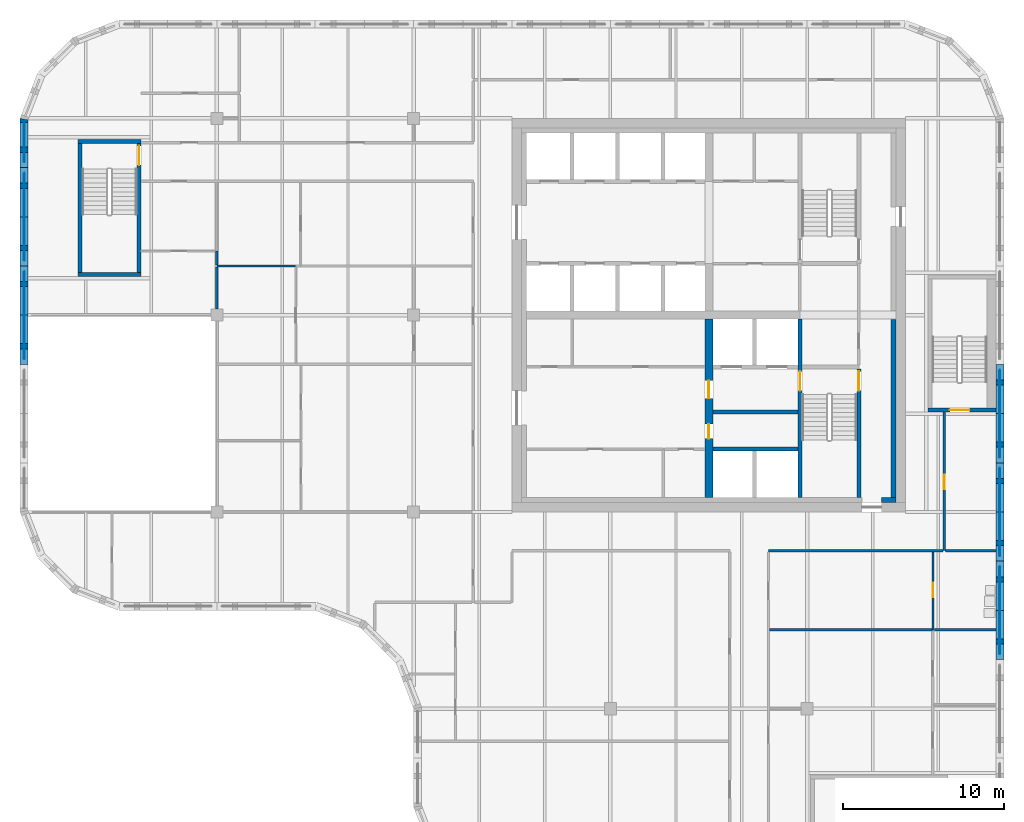
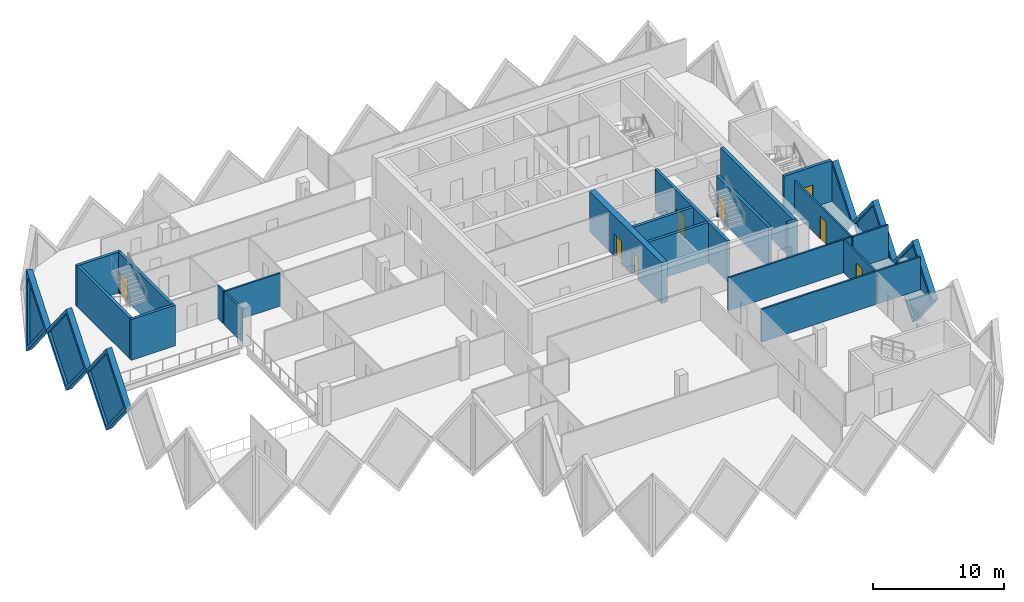
# One storey, part 6 of 12: 27 walls, 8 doors, 6 plates, 14 openings.
"""IFC4 building model written with IfcOpenShell, lengths in metres."""

from ifc_helpers import new_model, si_unit, direction, frame, frame_2d, origin, place, context, subcontext, project, spatial, polyline, rectangle, outline, extrude, faceted_brep, source, transform, mapped, material, layer, layer_set, type_object, element, fill, save


model = new_model("IFC4")

# Units and contexts
model_context = context("Model", 3, precision=1e-05, world=origin(), true_north=direction((0.0, 1.0)))
body_context = subcontext(model_context, "Body", "Model", "MODEL_VIEW")
ifc_project = project(units=[si_unit("LENGTHUNIT", "METRE"), si_unit("AREAUNIT", "SQUARE_METRE"), si_unit("VOLUMEUNIT", "CUBIC_METRE"), si_unit("PLANEANGLEUNIT", "RADIAN"), si_unit("MASSUNIT", "GRAM", prefix="KILO")], contexts=[model_context])

# Site, building, storey
site_placement = place(None, origin())
site = spatial("IfcSite", under=ifc_project, at=site_placement, CompositionType="ELEMENT")
building_placement = place(site_placement, origin())
building = spatial("IfcBuilding", under=site, at=building_placement, Name="Tessera Gate Towers", CompositionType="ELEMENT")
storey_placement = place(building_placement, frame((0.0, 0.0, 182.0)))
storey = spatial("IfcBuildingStorey", under=building, at=storey_placement, Name="L45", CompositionType="ELEMENT", Elevation=182.0)

# Wall, opening, door
ifc_material_1 = material(Name="Concrete C40/50", Category="concrete")
ifc_layer_1 = layer(ifc_material_1, 0.25)
ifc_layer_set_1 = layer_set([ifc_layer_1], Name="CORE ENCLOSURE WALL 250")
wall_type_1 = type_object("IfcWallType", Name="CORE ENCLOSURE WALL 250", PredefinedType="SOLIDWALL", material=ifc_layer_set_1)
wall_1_placement = place(storey_placement, frame((48.35009765625, 36.35009765625, 0.0), z_axis=(0.0, 0.0, 1.0), x_axis=(0.0, -1.0, 0.0)))
wall_1 = element("IfcWall", 1, at=wall_1_placement, inside=storey, type_object=wall_type_1, Name="L45 shaft and stair enclosure wall", PredefinedType="SOLIDWALL", context=body_context, shape_type="SweptSolid", body=[
    extrude(rectangle(XDim=11.050048828125, YDim=0.25, at=frame_2d((5.52490234375, 0.0))), origin(), (0.0, 0.0, 1.0), 3.800048828125),
])
shared_shape_1 = source(origin(), body_context, "Body", "SweptSolid", [
    extrude(rectangle(XDim=1.199951171875, YDim=2.10009765625, at=frame_2d((0.60009765625, 1.050048828125))), frame((0.0, 0.135009765625, 0.0), z_axis=(0.0, -1.0, 0.0), x_axis=(1.0, 0.0, 0.0)), (0.0, 0.0, 1.0), 0.27001953125),
])
opening_1_placement = place(wall_1_placement, frame((3.22509765625, 0.0, 0.0)))
opening_1 = element("IfcOpeningElement", 2, at=opening_1_placement, cuts=wall_1, Name="Opening SD-ST1-1", PredefinedType="OPENING", context=body_context, shape_type="MappedRepresentation", body=[
    mapped(shared_shape_1, transform((0.0, 0.0, 0.0), scale=1.0)),
])
ifc_material_2 = material(Name="Hollow steel fire door", Category="steel")
door_type_1 = type_object("IfcDoorType", Name="CORE DOOR SD 1200x2100", OperationType="NOTDEFINED", PredefinedType="DOOR", material=ifc_material_2)
shared_shape_2 = source(origin(), body_context, "Body", "SweptSolid", [
    extrude(rectangle(XDim=1.199951171875, YDim=2.10009765625, at=frame_2d((0.60009765625, 1.050048828125))), frame((0.0, 0.02490234375, 0.0), z_axis=(0.0, -1.0, 0.0), x_axis=(1.0, 0.0, 0.0)), (0.0, 0.0, 1.0), 0.050048828125),
])
door_1_placement = place(opening_1_placement, origin())
door_1 = element("IfcDoor", 3, at=door_1_placement, inside=storey, type_object=door_type_1, Name="Stair door", OperationType="SINGLE_SWING_LEFT", OverallHeight=2.10009765625, OverallWidth=1.199951171875, PredefinedType="DOOR", context=body_context, shape_type="MappedRepresentation", body=[
    mapped(shared_shape_2, transform((0.0, 0.0, 0.0), scale=1.0)),
])
fill(opening_1, door_1)

wall_2_placement = place(storey_placement, frame((52.0, 25.300048828125, 0.0), z_axis=(0.0, 0.0, 1.0), x_axis=(0.0, 1.0, 0.0)))
wall_2 = element("IfcWall", 4, at=wall_2_placement, inside=storey, type_object=wall_type_1, Name="L45 shaft and stair enclosure wall", PredefinedType="SOLIDWALL", context=body_context, shape_type="SweptSolid", body=[
    extrude(rectangle(XDim=7.974853515625, YDim=0.25, at=frame_2d((3.9873046875, 0.0))), origin(), (0.0, 0.0, 1.0), 3.800048828125),
])
opening_2_placement = place(wall_2_placement, frame((6.625, 0.0, 0.0)))
opening_2 = element("IfcOpeningElement", 5, at=opening_2_placement, cuts=wall_2, Name="Opening SD-ST1-2", PredefinedType="OPENING", context=body_context, shape_type="MappedRepresentation", body=[
    mapped(shared_shape_1, transform((0.0, 0.0, 0.0), scale=1.0)),
])
door_2_placement = place(opening_2_placement, origin())
door_2 = element("IfcDoor", 6, at=door_2_placement, inside=storey, type_object=door_type_1, Name="Stair door", OperationType="SINGLE_SWING_RIGHT", OverallHeight=2.10009765625, OverallWidth=1.199951171875, PredefinedType="DOOR", context=body_context, shape_type="MappedRepresentation", body=[
    mapped(shared_shape_2, transform((0.0, 0.0, 0.0), scale=1.0)),
])
fill(opening_2, door_2)

# Walls
for number, where, z_axis, x_axis, name in (
    (7, (42.949951171875, 28.300048828125, 0.0), (0.0, 0.0, 1.0), (1.0, 0.0, 0.0), "L45 shaft and stair enclosure wall"),
    (8, (42.949951171875, 30.60009765625, 0.0), (0.0, 0.0, 1.0), (1.0, 0.0, 0.0), "L45 shaft and stair enclosure wall"),
):
    element("IfcWall", number, at=place(storey_placement, frame(where, z_axis=z_axis, x_axis=x_axis)), inside=storey, type_object=wall_type_1, Name=name, PredefinedType="SOLIDWALL", context=body_context, shape_type="SweptSolid", body=[
        extrude(rectangle(XDim=5.275146484375, YDim=0.25, at=frame_2d((2.6376953125, 0.0))), origin(), (0.0, 0.0, 1.0), 3.800048828125),
    ])
wall_3_placement = place(storey_placement, frame((7.5, 39.125, 0.0), z_axis=(0.0, 0.0, 1.0), x_axis=(-1.0, 0.0, 0.0)))
element("IfcWall", 9, at=wall_3_placement, inside=storey, type_object=wall_type_1, Name="L45 ST3 enclosure wall", PredefinedType="SOLIDWALL", context=body_context, shape_type="SweptSolid", body=[
    extrude(rectangle(XDim=3.89990234375, YDim=0.25, at=frame_2d((1.949951171875, 0.0))), origin(), (0.0, 0.0, 1.0), 3.800048828125),
])
wall_4_placement = place(storey_placement, frame((3.72509765625, 39.25, 0.0), z_axis=(0.0, 0.0, 1.0), x_axis=(0.0, 1.0, 0.0)))
element("IfcWall", 10, at=wall_4_placement, inside=storey, type_object=wall_type_1, Name="L45 ST3 enclosure wall", PredefinedType="SOLIDWALL", context=body_context, shape_type="SweptSolid", body=[
    extrude(rectangle(XDim=8.0, YDim=0.25, at=frame_2d((4.0, 0.0))), origin(), (0.0, 0.0, 1.0), 3.800048828125),
])
wall_5_placement = place(storey_placement, frame((3.60009765625, 47.375, 0.0), z_axis=(0.0, 0.0, 1.0), x_axis=(1.0, 0.0, 0.0)))
element("IfcWall", 11, at=wall_5_placement, inside=storey, type_object=wall_type_1, Name="L45 ST3 enclosure wall", PredefinedType="SOLIDWALL", context=body_context, shape_type="SweptSolid", body=[
    extrude(rectangle(XDim=3.89990234375, YDim=0.25, at=frame_2d((1.949951171875, 0.0))), origin(), (0.0, 0.0, 1.0), 3.800048828125),
])

# Wall, opening, door
wall_6_placement = place(storey_placement, frame((7.375, 47.25, 0.0), z_axis=(0.0, 0.0, 1.0), x_axis=(0.0, -1.0, 0.0)))
wall_6 = element("IfcWall", 12, at=wall_6_placement, inside=storey, type_object=wall_type_1, Name="L45 ST3 enclosure wall", PredefinedType="SOLIDWALL", context=body_context, shape_type="SweptSolid", body=[
    extrude(rectangle(XDim=8.0, YDim=0.25, at=frame_2d((4.0, 0.0))), origin(), (0.0, 0.0, 1.0), 3.800048828125),
])
opening_3_placement = place(wall_6_placement, frame((0.14990234375, 0.0, 0.0)))
opening_3 = element("IfcOpeningElement", 13, at=opening_3_placement, cuts=wall_6, Name="Opening SD-ST3-1", PredefinedType="OPENING", context=body_context, shape_type="MappedRepresentation", body=[
    mapped(shared_shape_1, transform((0.0, 0.0, 0.0), scale=1.0)),
])
door_3_placement = place(opening_3_placement, origin())
door_3 = element("IfcDoor", 14, at=door_3_placement, inside=storey, type_object=door_type_1, Name="Stair door", OperationType="SINGLE_SWING_LEFT", OverallHeight=2.10009765625, OverallWidth=1.199951171875, PredefinedType="DOOR", context=body_context, shape_type="MappedRepresentation", body=[
    mapped(shared_shape_2, transform((0.0, 0.0, 0.0), scale=1.0)),
])
fill(opening_3, door_3)

wall_7_placement = place(storey_placement, frame((60.5, 30.72509765625, 0.0), z_axis=(0.0, 0.0, 1.0), x_axis=(-1.0, 0.0, 0.0)))
wall_7 = element("IfcWall", 15, at=wall_7_placement, inside=storey, type_object=wall_type_1, Name="L45 ST5 enclosure wall", PredefinedType="SOLIDWALL", context=body_context, shape_type="SweptSolid", body=[
    extrude(rectangle(XDim=4.199951171875, YDim=0.25, at=frame_2d((2.10009765625, 0.0))), origin(), (0.0, 0.0, 1.0), 3.800048828125),
])
opening_4_placement = place(wall_7_placement, frame((1.64990234375, 0.0, 0.0)))
opening_4 = element("IfcOpeningElement", 16, at=opening_4_placement, cuts=wall_7, Name="Opening SD-ST5-1", PredefinedType="OPENING", context=body_context, shape_type="MappedRepresentation", body=[
    mapped(shared_shape_1, transform((0.0, 0.0, 0.0), scale=1.0)),
])
door_4_placement = place(opening_4_placement, origin())
door_4 = element("IfcDoor", 17, at=door_4_placement, inside=storey, type_object=door_type_1, Name="Stair door", OperationType="SINGLE_SWING_RIGHT", OverallHeight=2.10009765625, OverallWidth=1.199951171875, PredefinedType="DOOR", context=body_context, shape_type="MappedRepresentation", body=[
    mapped(shared_shape_2, transform((0.0, 0.0, 0.0), scale=1.0)),
])
fill(opening_4, door_4)

# Wall, openings, doors
ifc_material_3 = material(Name="Concrete C50/60", Category="concrete")
ifc_layer_2 = layer(ifc_material_3, 0.5)
ifc_layer_set_2 = layer_set([ifc_layer_2], Name="CORE SPINE WALL 500 C50/60")
wall_type_2 = type_object("IfcWallType", Name="CORE SPINE WALL 500 C50/60", PredefinedType="SHEAR", material=ifc_layer_set_2)
wall_8_placement = place(storey_placement, frame((42.699951171875, 36.35009765625, 0.0), z_axis=(0.0, 0.0, 1.0), x_axis=(0.0, -1.0, 0.0)))
wall_8 = element("IfcWall", 18, at=wall_8_placement, inside=storey, type_object=wall_type_2, Name="Core wall spine L45", PredefinedType="SHEAR", context=body_context, shape_type="SweptSolid", body=[
    extrude(rectangle(XDim=11.050048828125, YDim=0.5, at=frame_2d((5.52490234375, 0.0))), origin(), (0.0, 0.0, 1.0), 3.800048828125),
])
shared_shape_3 = source(origin(), body_context, "Body", "SweptSolid", [
    extrude(rectangle(XDim=0.89990234375, YDim=2.10009765625, at=frame_2d((0.449951171875, 1.050048828125))), frame((0.0, 0.260009765625, 0.0), z_axis=(0.0, -1.0, 0.0), x_axis=(1.0, 0.0, 0.0)), (0.0, 0.0, 1.0), 0.52001953125),
])
opening_5_placement = place(wall_8_placement, frame((6.5, 0.0, 0.0)))
opening_5 = element("IfcOpeningElement", 19, at=opening_5_placement, cuts=wall_8, Name="Opening RD-T1-28-05", PredefinedType="OPENING", context=body_context, shape_type="MappedRepresentation", body=[
    mapped(shared_shape_3, transform((0.0, 0.0, 0.0), scale=1.0)),
])
shared_shape_4 = source(origin(), body_context, "Body", "SweptSolid", [
    extrude(rectangle(XDim=1.10009765625, YDim=2.10009765625, at=frame_2d((0.550048828125, 1.050048828125))), frame((0.0, 0.260009765625, 0.0), z_axis=(0.0, -1.0, 0.0), x_axis=(1.0, 0.0, 0.0)), (0.0, 0.0, 1.0), 0.52001953125),
])
opening_6_placement = place(wall_8_placement, frame((3.800048828125, 0.0, 0.0)))
opening_6 = element("IfcOpeningElement", 20, at=opening_6_placement, cuts=wall_8, Name="Opening FD-T1-28-06", PredefinedType="OPENING", context=body_context, shape_type="MappedRepresentation", body=[
    mapped(shared_shape_4, transform((0.0, 0.0, 0.0), scale=1.0)),
])
ifc_material_4 = material(Name="Hollow steel fire door", Category="steel")
door_type_2 = type_object("IfcDoorType", Name="CORE DOOR RD 900x2100", OperationType="NOTDEFINED", PredefinedType="DOOR", material=ifc_material_4)
shared_shape_5 = source(origin(), body_context, "Body", "SweptSolid", [
    extrude(rectangle(XDim=0.89990234375, YDim=2.10009765625, at=frame_2d((0.449951171875, 1.050048828125))), frame((0.0, 0.02490234375, 0.0), z_axis=(0.0, -1.0, 0.0), x_axis=(1.0, 0.0, 0.0)), (0.0, 0.0, 1.0), 0.050048828125),
])
door_5_placement = place(opening_5_placement, origin())
door_5 = element("IfcDoor", 21, at=door_5_placement, inside=storey, type_object=door_type_2, Name="Core room door", OperationType="SINGLE_SWING_RIGHT", OverallHeight=2.10009765625, OverallWidth=0.89990234375, PredefinedType="DOOR", context=body_context, shape_type="MappedRepresentation", body=[
    mapped(shared_shape_5, transform((0.0, 0.0, 0.0), scale=1.0)),
])
fill(opening_5, door_5)
ifc_material_5 = material(Name="Hollow steel fire door", Category="steel")
door_type_3 = type_object("IfcDoorType", Name="CORE DOOR FD 1100x2100", OperationType="NOTDEFINED", PredefinedType="DOOR", material=ifc_material_5)
shared_shape_6 = source(origin(), body_context, "Body", "SweptSolid", [
    extrude(rectangle(XDim=1.10009765625, YDim=2.10009765625, at=frame_2d((0.550048828125, 1.050048828125))), frame((0.0, 0.02490234375, 0.0), z_axis=(0.0, -1.0, 0.0), x_axis=(1.0, 0.0, 0.0)), (0.0, 0.0, 1.0), 0.050048828125),
])
door_6_placement = place(opening_6_placement, origin())
door_6 = element("IfcDoor", 22, at=door_6_placement, inside=storey, type_object=door_type_3, Name="Fire-fighting lobby door", OperationType="SINGLE_SWING_LEFT", OverallHeight=2.10009765625, OverallWidth=1.10009765625, PredefinedType="DOOR", context=body_context, shape_type="MappedRepresentation", body=[
    mapped(shared_shape_6, transform((0.0, 0.0, 0.0), scale=1.0)),
])
fill(opening_6, door_6)

# Walls
ifc_material_6 = material(Name="Concrete C50/60", Category="concrete")
ifc_layer_3 = layer(ifc_material_6, 0.300048828125)
ifc_layer_set_3 = layer_set([ifc_layer_3], Name="CORE WALL THICKENING 300")
wall_type_3 = type_object("IfcWallType", Name="CORE WALL THICKENING 300", PredefinedType="SOLIDWALL", material=ifc_layer_set_3)
wall_9_placement = place(storey_placement, frame((53.39990234375, 25.14990234375, 0.0), z_axis=(0.0, 0.0, 1.0), x_axis=(1.0, 0.0, 0.0)))
element("IfcWall", 23, at=wall_9_placement, inside=storey, type_object=wall_type_3, Name="Core wall thickening S L45", PredefinedType="SOLIDWALL", context=body_context, shape_type="SweptSolid", body=[
    extrude(rectangle(XDim=0.900146484375, YDim=0.300048828125, at=frame_2d((0.4501953125, 0.0))), origin(), (0.0, 0.0, 1.0), 3.800048828125),
])
wall_10_placement = place(storey_placement, frame((54.14990234375, 25.300048828125, 0.0), z_axis=(0.0, 0.0, 1.0), x_axis=(0.0, 1.0, 0.0)))
element("IfcWall", 24, at=wall_10_placement, inside=storey, type_object=wall_type_3, Name="Core wall thickening E L45", PredefinedType="SOLIDWALL", context=body_context, shape_type="SweptSolid", body=[
    extrude(rectangle(XDim=11.02001953125, YDim=0.300048828125, at=frame_2d((5.510009765625, 0.0))), origin(), (0.0, 0.0, 1.0), 3.800048828125),
])
ifc_material_7 = material(Name="Gypsum board on steel studs, mineral wool", Category="steel")
ifc_layer_4 = layer(ifc_material_7, 0.14990234375)
ifc_layer_set_4 = layer_set([ifc_layer_4], Name="CORRIDOR WALL 150")
wall_type_4 = type_object("IfcWallType", Name="CORRIDOR WALL 150", PredefinedType="PARTITIONING", material=ifc_layer_set_4)
wall_11_placement = place(storey_placement, frame((46.39990234375, 22.0, 0.0), z_axis=(0.0, 0.0, 1.0), x_axis=(1.0, 0.0, 0.0)))
element("IfcWall", 25, at=wall_11_placement, inside=storey, type_object=wall_type_4, Name="T1-L45-PW-021", PredefinedType="PARTITIONING", context=body_context, shape_type="SweptSolid", body=[
    extrude(rectangle(XDim=10.82421875, YDim=0.14990234375, at=frame_2d((5.412109375, 0.0))), origin(), (0.0, 0.0, 1.0), 3.06689453125),
])

# Wall, opening, door
wall_12_placement = place(storey_placement, frame((57.300048828125, 30.60009765625, 0.0), z_axis=(0.0, 0.0, 1.0), x_axis=(0.0, -1.0, 0.0)))
wall_12 = element("IfcWall", 26, at=wall_12_placement, inside=storey, type_object=wall_type_4, Name="T1-L45-PW-022", PredefinedType="PARTITIONING", context=body_context, shape_type="SweptSolid", body=[
    extrude(rectangle(XDim=8.60009765625, YDim=0.14990234375, at=frame_2d((4.300048828125, 0.0))), origin(), (0.0, 0.0, 1.0), 3.06689453125),
])
shared_shape_7 = source(origin(), body_context, "Body", "SweptSolid", [
    extrude(rectangle(XDim=0.89990234375, YDim=2.10009765625, at=frame_2d((0.449951171875, 1.050048828125))), frame((0.0, 0.0849609375, 0.0), z_axis=(0.0, -1.0, 0.0), x_axis=(1.0, 0.0, 0.0)), (0.0, 0.0, 1.0), 0.169921875),
])
opening_7_placement = place(wall_12_placement, frame((3.89990234375, 0.0, 0.0)))
opening_7 = element("IfcOpeningElement", 27, at=opening_7_placement, cuts=wall_12, Name="Opening D890FD60-A16-04", PredefinedType="OPENING", context=body_context, shape_type="MappedRepresentation", body=[
    mapped(shared_shape_7, transform((0.0, 0.0, 0.0), scale=1.0)),
])
ifc_material_8 = material(Name="Timber door leaf in steel frame", Category="steel")
door_type_4 = type_object("IfcDoorType", Name="CORRIDOR DOOR 900 FD60", OperationType="NOTDEFINED", PredefinedType="DOOR", material=ifc_material_8)
door_7_placement = place(opening_7_placement, origin())
door_7 = element("IfcDoor", 28, at=door_7_placement, inside=storey, type_object=door_type_4, Name="T1-L45-PD-021", OperationType="SINGLE_SWING_RIGHT", OverallHeight=2.10009765625, OverallWidth=0.89990234375, PredefinedType="DOOR", context=body_context, shape_type="MappedRepresentation", body=[
    mapped(shared_shape_5, transform((0.0, 0.0, 0.0), scale=1.0)),
])
fill(opening_7, door_7)

# Wall
ifc_material_9 = material(Name="Gypsum board on steel studs, mineral wool", Category="steel")
ifc_layer_5 = layer(ifc_material_9, 0.14990234375)
ifc_layer_set_5 = layer_set([ifc_layer_5], Name="TENANCY WALL 150")
wall_type_5 = type_object("IfcWallType", Name="TENANCY WALL 150", PredefinedType="PARTITIONING", material=ifc_layer_set_5)
wall_13_placement = place(storey_placement, frame((46.47607421875, 17.10009765625, 0.0), z_axis=(0.0, 0.0, 1.0), x_axis=(1.0, 0.0, 0.0)))
element("IfcWall", 29, at=wall_13_placement, inside=storey, type_object=wall_type_5, Name="T1-L45-PW-012", PredefinedType="PARTITIONING", context=body_context, shape_type="SweptSolid", body=[
    extrude(rectangle(XDim=10.098876953125, YDim=0.14990234375, at=frame_2d((5.04931640625, 0.0))), origin(), (0.0, 0.0, 1.0), 3.06689453125),
])

# Wall, opening, door
wall_14_placement = place(storey_placement, frame((56.60009765625, 21.924072265625, 0.0), z_axis=(0.0, 0.0, 1.0), x_axis=(0.0, -1.0, 0.0)))
wall_14 = element("IfcWall", 30, at=wall_14_placement, inside=storey, type_object=wall_type_5, Name="T1-L45-PW-013", PredefinedType="PARTITIONING", context=body_context, shape_type="SweptSolid", body=[
    extrude(rectangle(XDim=4.823974609375, YDim=0.14990234375, at=frame_2d((2.412109375, 0.0))), origin(), (0.0, 0.0, 1.0), 3.06689453125),
])
opening_8_placement = place(wall_14_placement, frame((1.924072265625, 0.0, 0.0)))
opening_8 = element("IfcOpeningElement", 31, at=opening_8_placement, cuts=wall_14, Name="Opening D190-A16-07", PredefinedType="OPENING", context=body_context, shape_type="MappedRepresentation", body=[
    mapped(shared_shape_7, transform((0.0, 0.0, 0.0), scale=1.0)),
])
ifc_material_10 = material(Name="Timber door leaf in steel frame", Category="steel")
door_type_5 = type_object("IfcDoorType", Name="INTERNAL DOOR 900 NOT RATED", OperationType="NOTDEFINED", PredefinedType="DOOR", material=ifc_material_10)
door_8_placement = place(opening_8_placement, origin())
door_8 = element("IfcDoor", 32, at=door_8_placement, inside=storey, type_object=door_type_5, Name="T1-L45-PD-011", OperationType="SINGLE_SWING_RIGHT", OverallHeight=2.10009765625, OverallWidth=0.89990234375, PredefinedType="DOOR", context=body_context, shape_type="MappedRepresentation", body=[
    mapped(shared_shape_5, transform((0.0, 0.0, 0.0), scale=1.0)),
])
fill(opening_8, door_8)

# Walls
wall_15_placement = place(storey_placement, frame((56.676025390625, 17.10009765625, 0.0), z_axis=(0.0, 0.0, 1.0), x_axis=(1.0, 0.0, 0.0)))
element("IfcWall", 33, at=wall_15_placement, inside=storey, type_object=wall_type_5, Name="T1-L45-PW-014", PredefinedType="PARTITIONING", context=body_context, shape_type="SweptSolid", body=[
    extrude(rectangle(XDim=3.823974609375, YDim=0.14990234375, at=frame_2d((1.912109375, 0.0))), origin(), (0.0, 0.0, 1.0), 3.06689453125),
])
wall_16_placement = place(storey_placement, frame((57.3759765625, 22.0, 0.0), z_axis=(0.0, 0.0, 1.0), x_axis=(1.0, 0.0, 0.0)))
element("IfcWall", 34, at=wall_16_placement, inside=storey, type_object=wall_type_5, Name="T1-L45-PW-023", PredefinedType="PARTITIONING", context=body_context, shape_type="SweptSolid", body=[
    extrude(rectangle(XDim=3.1240234375, YDim=0.14990234375, at=frame_2d((1.56201171875, 0.0))), origin(), (0.0, 0.0, 1.0), 3.06689453125),
])
wall_17_placement = place(storey_placement, frame((12.199951171875, 36.97607421875, 0.0), z_axis=(0.0, 0.0, 1.0), x_axis=(0.0, 1.0, 0.0)))
element("IfcWall", 35, at=wall_17_placement, inside=storey, type_object=wall_type_5, Name="T1-L45-PW-032", PredefinedType="PARTITIONING", context=body_context, shape_type="SweptSolid", body=[
    extrude(rectangle(XDim=2.597900390625, YDim=0.14990234375, at=frame_2d((1.298828125, 0.0))), origin(), (0.0, 0.0, 1.0), 3.06689453125),
])
wall_18_placement = place(storey_placement, frame((12.199951171875, 39.64990234375, 0.0), z_axis=(0.0, 0.0, 1.0), x_axis=(1.0, 0.0, 0.0)))
element("IfcWall", 36, at=wall_18_placement, inside=storey, type_object=wall_type_5, Name="T1-L45-PW-034", PredefinedType="PARTITIONING", context=body_context, shape_type="SweptSolid", body=[
    extrude(rectangle(XDim=4.900146484375, YDim=0.14990234375, at=frame_2d((2.4501953125, 0.0))), origin(), (0.0, 0.0, 1.0), 3.06689453125),
])
wall_19_placement = place(storey_placement, frame((12.199951171875, 39.72607421875, 0.0), z_axis=(0.0, 0.0, 1.0), x_axis=(0.0, 1.0, 0.0)))
element("IfcWall", 37, at=wall_19_placement, inside=storey, type_object=wall_type_5, Name="T1-L45-PW-037", PredefinedType="PARTITIONING", context=body_context, shape_type="SweptSolid", body=[
    extrude(rectangle(XDim=0.848876953125, YDim=0.14990234375, at=frame_2d((0.42431640625, 0.0))), origin(), (0.0, 0.0, 1.0), 3.06689453125),
])

# Wall, opening, plate
ifc_material_11 = material(Name="Precast concrete C60/75 white", Category="concrete")
ifc_layer_6 = layer(ifc_material_11, 0.5)
ifc_layer_set_6 = layer_set([ifc_layer_6], Name="TS1 tessera")
wall_type_6 = type_object("IfcWallType", Name="TS1 tessera", PredefinedType="SOLIDWALL", material=ifc_layer_set_6)
shared_shape_8 = source(origin(), body_context, "Body", "Brep", [
    faceted_brep([(3.050048828125, -0.25, 0.0), (6.099853515625, -0.25, 3.7998046875), (6.099853515625, -0.25, 3.80029296875), (3.050048828125, -0.25, 7.60009765625), (0.0, -0.25, 3.800048828125), (0.0, 0.25, 3.800048828125), (3.050048828125, 0.25, 7.60009765625), (6.099853515625, 0.25, 3.80029296875), (6.099853515625, 0.25, 3.7998046875), (3.050048828125, 0.25, 0.0)], [[[0, 1, 2, 3, 4]], [[5, 6, 7, 8, 9]], [[9, 8, 1, 0]], [[7, 6, 3, 2]], [[6, 5, 4, 3]], [[5, 9, 0, 4]], [[1, 8, 7, 2]]]),
])
wall_20_placement = place(storey_placement, frame((60.75, 21.35009765625, -3.800048828125), z_axis=(0.0, 0.0, 1.0), x_axis=(0.0, 1.0, 0.0)))
wall_20 = element("IfcWall", 38, at=wall_20_placement, inside=storey, type_object=wall_type_6, Name="Precast tessera T1 TS1-0788", PredefinedType="SOLIDWALL", context=body_context, shape_type="MappedRepresentation", body=[
    mapped(shared_shape_8, transform((0.0, 0.0, 0.0), scale=1.0)),
])
shared_shape_9 = source(origin(), body_context, "Body", "SweptSolid", [
    extrude(outline(polyline([(3.050048828125, 0.3994140625), (5.779541015625, 3.800048828125), (3.050048828125, 7.20068359375), (0.320556640625, 3.800048828125), (3.050048828125, 0.3994140625)])), frame((0.0, 0.260009765625, 0.0), z_axis=(0.0, -1.0, 0.0), x_axis=(1.0, 0.0, 0.0)), (0.0, 0.0, 1.0), 0.52001953125),
])
opening_9_placement = place(wall_20_placement, origin())
opening_9 = element("IfcOpeningElement", 39, at=opening_9_placement, cuts=wall_20, Name="Opening T1-PL2-1608", PredefinedType="OPENING", context=body_context, shape_type="MappedRepresentation", body=[
    mapped(shared_shape_9, transform((0.0, 0.0, 0.0), scale=1.0)),
])
ifc_material_12 = material(Name="Low-e laminated glass", Category="glass")
ifc_layer_7 = layer(ifc_material_12, 0.06005859375)
ifc_layer_set_7 = layer_set([ifc_layer_7], Name="PL2 rhombic pane")
plate_type = type_object("IfcPlateType", Name="PL2 rhombic pane", PredefinedType="SHEET", material=ifc_layer_set_7)
shared_shape_10 = source(origin(), body_context, "Body", "SweptSolid", [
    extrude(outline(polyline([(3.050048828125, 0.3994140625), (5.779541015625, 3.800048828125), (3.050048828125, 7.20068359375), (0.320556640625, 3.800048828125), (3.050048828125, 0.3994140625)])), frame((0.0, 0.030029296875, 0.0), z_axis=(0.0, -1.0, 0.0), x_axis=(1.0, 0.0, 0.0)), (0.0, 0.0, 1.0), 0.06005859375),
])
plate_1_placement = place(opening_9_placement, origin())
plate_1 = element("IfcPlate", 40, at=plate_1_placement, inside=storey, type_object=plate_type, Name="Glass pane T1 PL2-1608", PredefinedType="SHEET", context=body_context, shape_type="MappedRepresentation", body=[
    mapped(shared_shape_10, transform((0.0, 0.0, 0.0), scale=1.0)),
])
fill(opening_9, plate_1)

wall_21_placement = place(storey_placement, frame((0.25, 39.64990234375, -3.800048828125), z_axis=(0.0, 0.0, 1.0), x_axis=(0.0, -1.0, 0.0)))
wall_21 = element("IfcWall", 41, at=wall_21_placement, inside=storey, type_object=wall_type_6, Name="Precast tessera T1 TS1-0801", PredefinedType="SOLIDWALL", context=body_context, shape_type="MappedRepresentation", body=[
    mapped(shared_shape_8, transform((0.0, 0.0, 0.0), scale=1.0)),
])
opening_10_placement = place(wall_21_placement, origin())
opening_10 = element("IfcOpeningElement", 42, at=opening_10_placement, cuts=wall_21, Name="Opening T1-PL2-1629", PredefinedType="OPENING", context=body_context, shape_type="MappedRepresentation", body=[
    mapped(shared_shape_9, transform((0.0, 0.0, 0.0), scale=1.0)),
])
plate_2_placement = place(opening_10_placement, origin())
plate_2 = element("IfcPlate", 43, at=plate_2_placement, inside=storey, type_object=plate_type, Name="Glass pane T1 PL2-1629", PredefinedType="SHEET", context=body_context, shape_type="MappedRepresentation", body=[
    mapped(shared_shape_10, transform((0.0, 0.0, 0.0), scale=1.0)),
])
fill(opening_10, plate_2)

shared_shape_11 = source(origin(), body_context, "Body", "SweptSolid", [
    extrude(outline(polyline([(3.050048828125, 0.0), (6.10009765625, 3.800048828125), (3.050048828125, 7.60009765625), (0.0, 3.800048828125), (3.050048828125, 0.0)])), frame((0.0, 0.25, 0.0), z_axis=(0.0, -1.0, 0.0), x_axis=(1.0, 0.0, 0.0)), (0.0, 0.0, 1.0), 0.5),
])
wall_22_placement = place(storey_placement, frame((60.75, 15.25, -3.800048828125), z_axis=(0.0, 0.0, 1.0), x_axis=(0.0, 1.0, 0.0)))
wall_22 = element("IfcWall", 44, at=wall_22_placement, inside=storey, type_object=wall_type_6, Name="Precast tessera T1 TS1-0787", PredefinedType="SOLIDWALL", context=body_context, shape_type="MappedRepresentation", body=[
    mapped(shared_shape_11, transform((0.0, 0.0, 0.0), scale=1.0)),
])
opening_11_placement = place(wall_22_placement, origin())
opening_11 = element("IfcOpeningElement", 45, at=opening_11_placement, cuts=wall_22, Name="Opening T1-PL2-1607", PredefinedType="OPENING", context=body_context, shape_type="MappedRepresentation", body=[
    mapped(shared_shape_9, transform((0.0, 0.0, 0.0), scale=1.0)),
])
plate_3_placement = place(opening_11_placement, origin())
plate_3 = element("IfcPlate", 46, at=plate_3_placement, inside=storey, type_object=plate_type, Name="Glass pane T1 PL2-1607", PredefinedType="SHEET", context=body_context, shape_type="MappedRepresentation", body=[
    mapped(shared_shape_10, transform((0.0, 0.0, 0.0), scale=1.0)),
])
fill(opening_11, plate_3)

wall_23_placement = place(storey_placement, frame((60.75, 27.449951171875, -3.800048828125), z_axis=(0.0, 0.0, 1.0), x_axis=(0.0, 1.0, 0.0)))
wall_23 = element("IfcWall", 47, at=wall_23_placement, inside=storey, type_object=wall_type_6, Name="Precast tessera T1 TS1-0789", PredefinedType="SOLIDWALL", context=body_context, shape_type="MappedRepresentation", body=[
    mapped(shared_shape_11, transform((0.0, 0.0, 0.0), scale=1.0)),
])
opening_12_placement = place(wall_23_placement, origin())
opening_12 = element("IfcOpeningElement", 48, at=opening_12_placement, cuts=wall_23, Name="Opening T1-PL2-1609", PredefinedType="OPENING", context=body_context, shape_type="MappedRepresentation", body=[
    mapped(shared_shape_9, transform((0.0, 0.0, 0.0), scale=1.0)),
])
plate_4_placement = place(opening_12_placement, origin())
plate_4 = element("IfcPlate", 49, at=plate_4_placement, inside=storey, type_object=plate_type, Name="Glass pane T1 PL2-1609", PredefinedType="SHEET", context=body_context, shape_type="MappedRepresentation", body=[
    mapped(shared_shape_10, transform((0.0, 0.0, 0.0), scale=1.0)),
])
fill(opening_12, plate_4)

wall_24_placement = place(storey_placement, frame((0.25, 45.75, -3.800048828125), z_axis=(0.0, 0.0, 1.0), x_axis=(0.0, -1.0, 0.0)))
wall_24 = element("IfcWall", 50, at=wall_24_placement, inside=storey, type_object=wall_type_6, Name="Precast tessera T1 TS1-0800", PredefinedType="SOLIDWALL", context=body_context, shape_type="MappedRepresentation", body=[
    mapped(shared_shape_11, transform((0.0, 0.0, 0.0), scale=1.0)),
])
opening_13_placement = place(wall_24_placement, origin())
opening_13 = element("IfcOpeningElement", 51, at=opening_13_placement, cuts=wall_24, Name="Opening T1-PL2-1628", PredefinedType="OPENING", context=body_context, shape_type="MappedRepresentation", body=[
    mapped(shared_shape_9, transform((0.0, 0.0, 0.0), scale=1.0)),
])
plate_5_placement = place(opening_13_placement, origin())
plate_5 = element("IfcPlate", 52, at=plate_5_placement, inside=storey, type_object=plate_type, Name="Glass pane T1 PL2-1628", PredefinedType="SHEET", context=body_context, shape_type="MappedRepresentation", body=[
    mapped(shared_shape_10, transform((0.0, 0.0, 0.0), scale=1.0)),
])
fill(opening_13, plate_5)

ifc_material_13 = material(Name="Precast concrete C60/75 white", Category="concrete")
ifc_layer_8 = layer(ifc_material_13, 0.5)
ifc_layer_set_8 = layer_set([ifc_layer_8], Name="TS3 corner tessera")
wall_type_7 = type_object("IfcWallType", Name="TS3 corner tessera", PredefinedType="SOLIDWALL", material=ifc_layer_set_8)
shared_shape_12 = source(origin(), body_context, "Body", "Brep", [
    faceted_brep([(0.046630859375, -0.25, 0.0), (3.050048828125, -0.25, 3.800048828125), (0.046630859375, -0.25, 7.60009765625), (0.0, -0.25, 7.5400390625), (0.0, -0.25, 0.06005859375), (0.09326171875, 0.25, 7.541259765625), (3.050048828125, 0.25, 3.800048828125), (0.09326171875, 0.25, 0.058837890625), (0.046630859375, 0.0, 0.0), (0.046630859375, 0.0, 7.60009765625)], [[[0, 1, 2, 3, 4]], [[5, 6, 7]], [[7, 6, 1, 0, 8]], [[6, 5, 9, 2, 1]], [[3, 2, 9]], [[8, 0, 4]], [[7, 8, 4, 3, 9, 5]]]),
])
wall_25_placement = place(storey_placement, frame((0.25, 48.800048828125, -3.800048828125), z_axis=(0.0, 0.0, 1.0), x_axis=(0.0, -1.0, 0.0)))
wall_25 = element("IfcWall", 53, at=wall_25_placement, inside=storey, type_object=wall_type_7, Name="Precast corner tessera T1 TS3-1044", PredefinedType="SOLIDWALL", context=body_context, shape_type="MappedRepresentation", body=[
    mapped(shared_shape_12, transform((0.0, 0.0, 0.0), scale=1.0)),
])
shared_shape_13 = source(origin(), body_context, "Body", "SweptSolid", [
    extrude(outline(polyline([(0.24658203125, 0.65625), (2.7314453125, 3.800048828125), (0.24658203125, 6.94384765625), (0.24658203125, 0.65625)])), frame((0.0, 0.260009765625, 0.0), z_axis=(0.0, -1.0, 0.0), x_axis=(1.0, 0.0, 0.0)), (0.0, 0.0, 1.0), 0.52001953125),
])
opening_14_placement = place(wall_25_placement, origin())
opening_14 = element("IfcOpeningElement", 54, at=opening_14_placement, cuts=wall_25, Name="Opening T1-PL2-1627", PredefinedType="OPENING", context=body_context, shape_type="MappedRepresentation", body=[
    mapped(shared_shape_13, transform((0.0, 0.0, 0.0), scale=1.0)),
])
shared_shape_14 = source(origin(), body_context, "Body", "SweptSolid", [
    extrude(outline(polyline([(0.24658203125, 0.65625), (2.7314453125, 3.800048828125), (0.24658203125, 6.94384765625), (0.24658203125, 0.65625)])), frame((0.0, 0.030029296875, 0.0), z_axis=(0.0, -1.0, 0.0), x_axis=(1.0, 0.0, 0.0)), (0.0, 0.0, 1.0), 0.06005859375),
])
plate_6_placement = place(opening_14_placement, origin())
plate_6 = element("IfcPlate", 55, at=plate_6_placement, inside=storey, type_object=plate_type, Name="Glass pane T1 PL2-1627", PredefinedType="SHEET", context=body_context, shape_type="MappedRepresentation", body=[
    mapped(shared_shape_14, transform((0.0, 0.0, 0.0), scale=1.0)),
])
fill(opening_14, plate_6)

save(model, "model.ifc")
